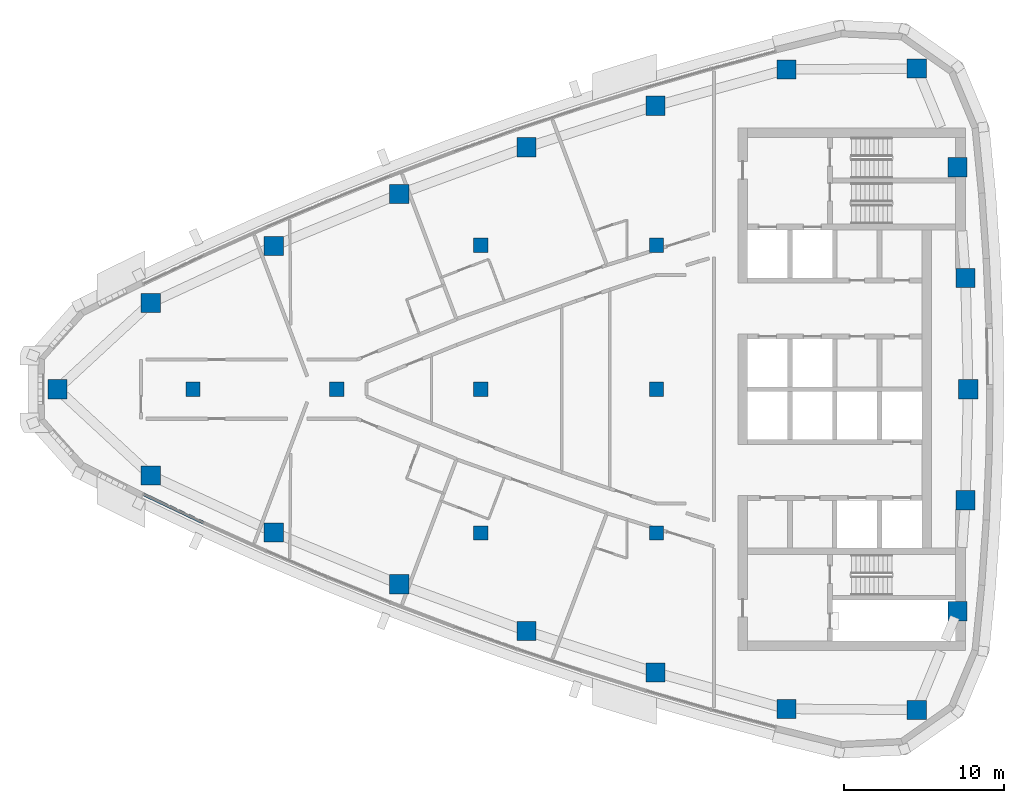
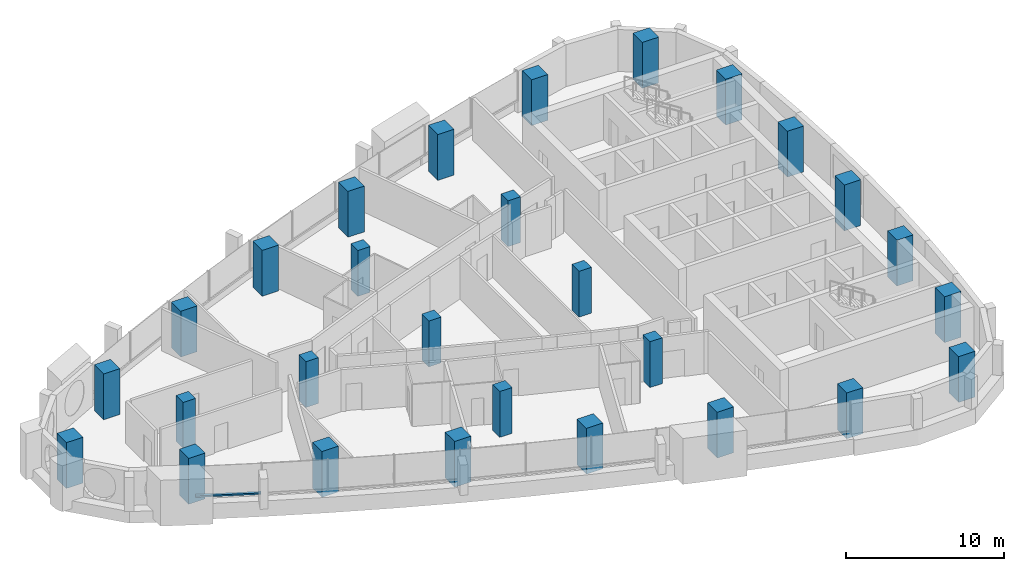
# One storey, part 1 of 15: 28 columns, 1 member, 1 element without a shape of its own.
"""IFC4 building model written with IfcOpenShell, lengths in metres."""

from ifc_helpers import new_model, si_unit, direction, frame, origin, origin_2d, place, context, subcontext, project, spatial, rectangle, extrude, material, layer, layer_set, material_profile, profile_set, type_object, element, aggregate, save


model = new_model("IFC4")

# Units and contexts
model_context = context("Model", 3, precision=1e-05, world=origin(), true_north=direction((0.0, 1.0)))
body_context = subcontext(model_context, "Body", "Model", "MODEL_VIEW")
ifc_project = project(units=[si_unit("LENGTHUNIT", "METRE"), si_unit("AREAUNIT", "SQUARE_METRE"), si_unit("VOLUMEUNIT", "CUBIC_METRE"), si_unit("PLANEANGLEUNIT", "RADIAN"), si_unit("MASSUNIT", "GRAM", prefix="KILO")], contexts=[model_context])

# Site, building, storey
site_placement = place(None, origin())
site = spatial("IfcSite", under=ifc_project, at=site_placement, CompositionType="ELEMENT")
building_placement = place(site_placement, origin())
building = spatial("IfcBuilding", under=site, at=building_placement, Name="Ostrand Prow Hotel Tower", CompositionType="ELEMENT")
storey_placement = place(building_placement, frame((0.0, 0.0, 235.0)))
storey = spatial("IfcBuildingStorey", under=building, at=storey_placement, Name="L59", CompositionType="ELEMENT", Elevation=235.0)

# Columns
ifc_material_1 = material(Name="Concrete C50/60", Category="concrete")
ifc_material_profile_1 = material_profile(ifc_material_1, rectangle(XDim=0.89990234375, YDim=0.89990234375, at=origin_2d()), Name="RC 900x900")
ifc_profile_set_1 = profile_set([ifc_material_profile_1], Name="Concrete C50/60")
column_type_1 = type_object("IfcColumnType", Name="Interior column 900x900 C50/60", PredefinedType="COLUMN", material=ifc_profile_set_1)
for number, where, z_axis, x_axis, name in (
    (1, (16.0, 0.0, 0.0), (0.0, 0.0, 1.0), (1.0, 0.0, 0.0), "Interior column 16C0"),
    (2, (25.0, 0.0, 0.0), (0.0, 0.0, 1.0), (1.0, 0.0, 0.0), "Interior column 25C0"),
    (3, (34.0, -9.0, 0.0), (0.0, 0.0, 1.0), (1.0, 0.0, 0.0), "Interior column 34S9"),
    (4, (34.0, 0.0, 0.0), (0.0, 0.0, 1.0), (1.0, 0.0, 0.0), "Interior column 34C0"),
    (5, (34.0, 9.0, 0.0), (0.0, 0.0, 1.0), (1.0, 0.0, 0.0), "Interior column 34N9"),
    (6, (45.0, -9.0, 0.0), (0.0, 0.0, 1.0), (1.0, 0.0, 0.0), "Interior column 45S9"),
    (7, (45.0, 0.0, 0.0), (0.0, 0.0, 1.0), (1.0, 0.0, 0.0), "Interior column 45C0"),
    (8, (45.0, 9.0, 0.0), (0.0, 0.0, 1.0), (1.0, 0.0, 0.0), "Interior column 45N9"),
):
    element("IfcColumn", number, at=place(storey_placement, frame(where, z_axis=z_axis, x_axis=x_axis)), inside=storey, type_object=column_type_1, Name=name, PredefinedType="COLUMN", context=body_context, shape_type="SweptSolid", body=[
        extrude(rectangle(XDim=0.89990234375, YDim=0.89990234375, at=origin_2d()), origin(), (0.0, 0.0, 1.0), 3.550048828125),
    ])
ifc_material_2 = material(Name="Concrete C50/60", Category="concrete")
ifc_material_profile_2 = material_profile(ifc_material_2, rectangle(XDim=1.199951171875, YDim=1.199951171875, at=origin_2d()), Name="RC 1200x1200")
ifc_profile_set_2 = profile_set([ifc_material_profile_2], Name="Concrete C50/60")
column_type_2 = type_object("IfcColumnType", Name="Stone-faced mega column 1200x1200 C50/60", PredefinedType="COLUMN", material=ifc_profile_set_2)
for number, where, z_axis, x_axis, name in (
    (9, (7.513916015625, 0.0, 0.0), (0.0, 0.0, 1.0), (1.0, 0.0, 0.0), "Mega column P"),
    (10, (13.356201171875, -5.392822265625, 0.0), (0.0, 0.0, 1.0), (1.0, 0.0, 0.0), "Mega column S1"),
    (11, (21.05859375, -8.95751953125, 0.0), (0.0, 0.0, 1.0), (1.0, 0.0, 0.0), "Mega column S2"),
    (12, (28.900146484375, -12.205322265625, 0.0), (0.0, 0.0, 1.0), (1.0, 0.0, 0.0), "Mega column S3"),
    (13, (36.8671875, -15.131591796875, 0.0), (0.0, 0.0, 1.0), (1.0, 0.0, 0.0), "Mega column S4"),
    (14, (44.94677734375, -17.731201171875, 0.0), (0.0, 0.0, 1.0), (1.0, 0.0, 0.0), "Mega column S5"),
    (15, (53.12548828125, -19.99951171875, 0.0), (0.0, 0.0, 1.0), (1.0, 0.0, 0.0), "Mega column S6"),
    (16, (61.283935546875, -20.06201171875, 0.0), (0.0, 0.0, 1.0), (1.0, 0.0, 0.0), "Mega column SE"),
    (17, (63.826416015625, -13.887939453125, 0.0), (0.0, 0.0, 1.0), (1.0, 0.0, 0.0), "Mega column B1"),
    (18, (64.33154296875, -6.9521484375, 0.0), (0.0, 0.0, 1.0), (1.0, 0.0, 0.0), "Mega column B2"),
    (19, (64.5, 0.0, 0.0), (0.0, 0.0, 1.0), (1.0, 0.0, 0.0), "Mega column B3"),
    (20, (64.33154296875, 6.9521484375, 0.0), (0.0, 0.0, 1.0), (1.0, 0.0, 0.0), "Mega column B4"),
    (21, (63.826416015625, 13.887939453125, 0.0), (0.0, 0.0, 1.0), (1.0, 0.0, 0.0), "Mega column B5"),
    (22, (61.283935546875, 20.06201171875, 0.0), (0.0, 0.0, 1.0), (1.0, 0.0, 0.0), "Mega column NE"),
    (23, (53.12548828125, 19.99951171875, 0.0), (0.0, 0.0, 1.0), (1.0, 0.0, 0.0), "Mega column N1"),
    (24, (44.94677734375, 17.731201171875, 0.0), (0.0, 0.0, 1.0), (1.0, 0.0, 0.0), "Mega column N2"),
    (25, (36.8671875, 15.131591796875, 0.0), (0.0, 0.0, 1.0), (1.0, 0.0, 0.0), "Mega column N3"),
    (26, (28.900146484375, 12.205322265625, 0.0), (0.0, 0.0, 1.0), (1.0, 0.0, 0.0), "Mega column N4"),
    (27, (21.05859375, 8.95751953125, 0.0), (0.0, 0.0, 1.0), (1.0, 0.0, 0.0), "Mega column N5"),
    (28, (13.356201171875, 5.392822265625, 0.0), (0.0, 0.0, 1.0), (1.0, 0.0, 0.0), "Mega column N6"),
):
    element("IfcColumn", number, at=place(storey_placement, frame(where, z_axis=z_axis, x_axis=x_axis)), inside=storey, type_object=column_type_2, Name=name, PredefinedType="COLUMN", context=body_context, shape_type="SweptSolid", body=[
        extrude(rectangle(XDim=1.199951171875, YDim=1.199951171875, at=origin_2d()), origin(), (0.0, 0.0, 1.0), 3.550048828125),
    ])

# Curtain wall, member
ifc_material_3 = material(Name="Insulated glass in bronze anodised frame", Category="glass")
ifc_layer = layer(ifc_material_3, 0.199951171875)
ifc_layer_set = layer_set([ifc_layer], Name="Insulated glass in bronze anodised frame")
curtain_wall_type = type_object("IfcCurtainWallType", Name="Strip curtain wall, fritted glass over bronze spandrel", PredefinedType="NOTDEFINED", material=ifc_layer_set)
curtain_wall_placement = place(storey_placement, origin())
curtain_wall = element("IfcCurtainWall", 29, at=curtain_wall_placement, inside=storey, type_object=curtain_wall_type, Name="CW1 run CWS1", PredefinedType="NOTDEFINED")
ifc_material_4 = material(Name="Bronze anodised aluminium", Category="aluminium")
ifc_material_profile_3 = material_profile(ifc_material_4, rectangle(XDim=0.199951171875, YDim=0.1201171875, at=origin_2d()), Name="Transom 120x200 bronze anodised aluminium")
ifc_profile_set_3 = profile_set([ifc_material_profile_3], Name="Bronze anodised aluminium")
member_type = type_object("IfcMemberType", Name="Transom 120x200 bronze anodised aluminium", PredefinedType="USERDEFINED", material=ifc_profile_set_3)
member_placement = place(storey_placement, frame((12.92041015625, -6.583740234375, 0.9599609375), z_axis=(0.903364977925, -0.428872611226, 0.0), x_axis=(0.428872611226, 0.903364977925, 0.0)))
member = element("IfcMember", 30, at=member_placement, type_object=member_type, Name="CW1 transom 1.1", ObjectType="TRANSOM", PredefinedType="USERDEFINED", context=body_context, shape_type="SweptSolid", body=[
    extrude(rectangle(XDim=0.199951171875, YDim=0.1201171875, at=origin_2d()), origin(), (0.0, 0.0, 1.0), 4.16357421875),
])
aggregate(curtain_wall, [member])

save(model, "model.ifc")
